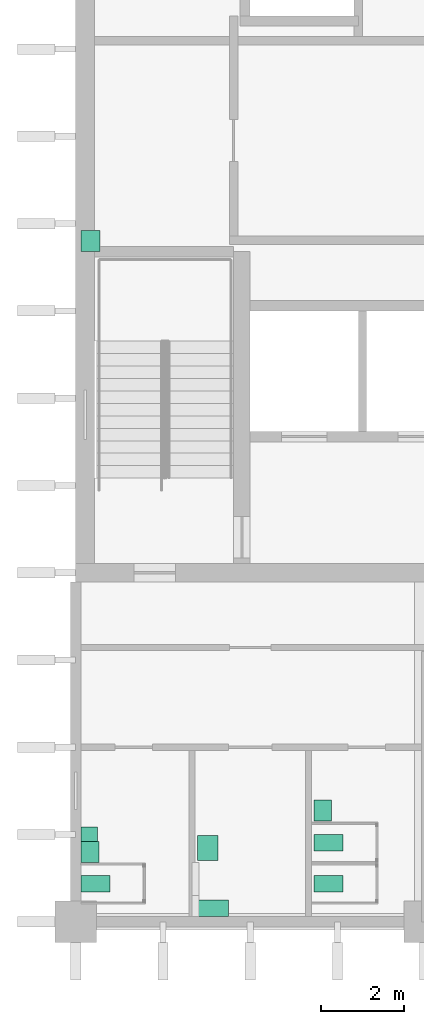
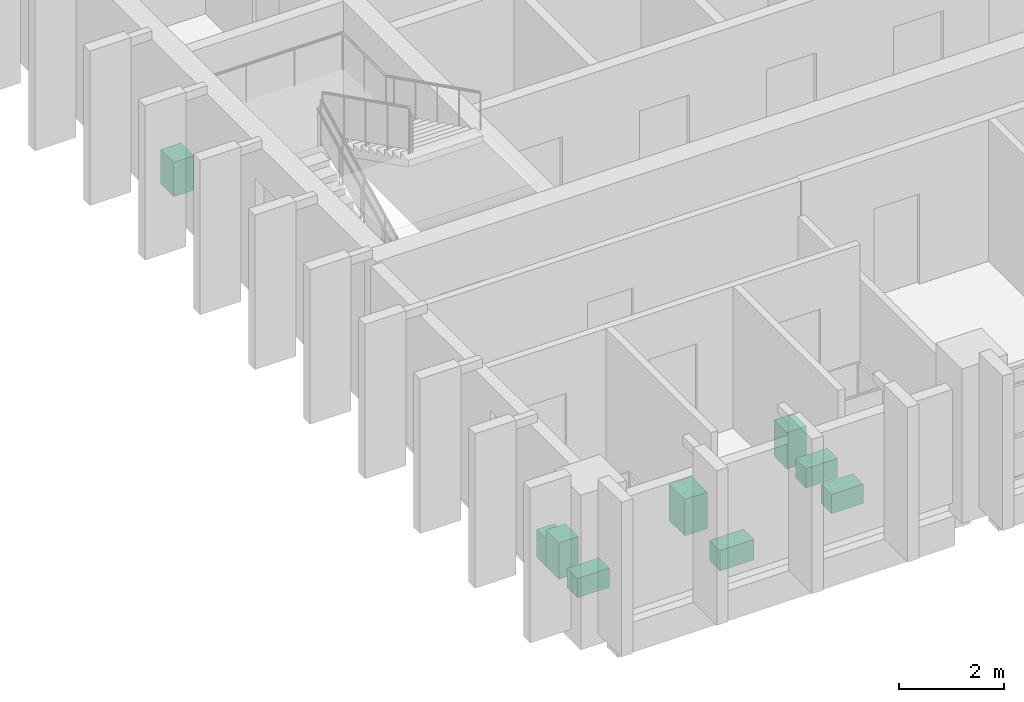
# One storey, part 11 of 11: 9 sanitary terminals.
"""IFC4 building model written with IfcOpenShell, lengths in metres."""

from ifc_helpers import new_model, si_unit, direction, frame, origin, origin_2d, place, context, subcontext, project, spatial, rectangle, extrude, material, type_object, element, save


model = new_model("IFC4")

# Units and contexts
model_context = context("Model", 3, precision=1e-05, world=origin(), true_north=direction((0.0, 1.0)))
body_context = subcontext(model_context, "Body", "Model", "MODEL_VIEW")
ifc_project = project(units=[si_unit("LENGTHUNIT", "METRE"), si_unit("AREAUNIT", "SQUARE_METRE"), si_unit("VOLUMEUNIT", "CUBIC_METRE"), si_unit("PLANEANGLEUNIT", "RADIAN"), si_unit("MASSUNIT", "GRAM", prefix="KILO")], contexts=[model_context])

# Site, building, storey
site_placement = place(None, origin())
site = spatial("IfcSite", under=ifc_project, at=site_placement, CompositionType="ELEMENT")
building_placement = place(site_placement, origin())
building = spatial("IfcBuilding", under=site, at=building_placement, Name="Rulbaag Community and Learning Centre", CompositionType="ELEMENT")
storey_placement = place(building_placement, frame((0.0, 0.0, 21.60009765625)))
storey = spatial("IfcBuildingStorey", under=building, at=storey_placement, Name="L05", CompositionType="ELEMENT", Elevation=21.60009765625)

# Sanitary terminals
ifc_material_1 = material(Name="Vitreous china", Category="ceramic")
sanitary_terminal_type_1 = type_object("IfcSanitaryTerminalType", Name="BS-500", PredefinedType="WASHHANDBASIN", material=ifc_material_1)
for number, where, z_axis, x_axis, name in (
    (1, (143.14501953125, 85.679931640625, -0.000244140625), (0.0, 0.0, 1.0), (1.0, 0.0, 0.0), "Basin 78"),
    (2, (148.7451171875, 86.679931640625, -0.000244140625), (0.0, 0.0, 1.0), (1.0, 0.0, 0.0), "Basin 79"),
):
    element("IfcSanitaryTerminal", number, at=place(storey_placement, frame(where, z_axis=z_axis, x_axis=x_axis)), inside=storey, type_object=sanitary_terminal_type_1, Name=name, PredefinedType="WASHHANDBASIN", context=body_context, shape_type="SweptSolid", body=[
        extrude(rectangle(XDim=0.429931640625, YDim=0.5, at=origin_2d()), origin(), (0.0, 0.0, 1.0), 0.85009765625),
    ])
sanitary_terminal_type_2 = type_object("IfcSanitaryTerminalType", Name="BS-AC-600", PredefinedType="WASHHANDBASIN", material=ifc_material_1)
sanitary_terminal_1_placement = place(storey_placement, frame((145.97998046875, 85.780029296875, -0.000244140625), z_axis=(0.0, 0.0, 1.0), x_axis=(1.0, 0.0, 0.0)))
element("IfcSanitaryTerminal", 3, at=sanitary_terminal_1_placement, inside=storey, type_object=sanitary_terminal_type_2, Name="Basin 80", PredefinedType="WASHHANDBASIN", context=body_context, shape_type="SweptSolid", body=[
    extrude(rectangle(XDim=0.5, YDim=0.60009765625, at=origin_2d()), origin(), (0.0, 0.0, 1.0), 0.85009765625),
])
ifc_material_2 = material(Name="Stainless steel", Category="steel")
sanitary_terminal_type_3 = type_object("IfcSanitaryTerminalType", Name="SK-CL-500", PredefinedType="SINK", material=ifc_material_2)
sanitary_terminal_2_placement = place(storey_placement, frame((143.155029296875, 100.3798828125, 0.0), z_axis=(0.0, 0.0, 1.0), x_axis=(1.0, 0.0, 0.0)))
element("IfcSanitaryTerminal", 4, at=sanitary_terminal_2_placement, inside=storey, type_object=sanitary_terminal_type_3, Name="Sink 14", PredefinedType="SINK", context=body_context, shape_type="SweptSolid", body=[
    extrude(rectangle(XDim=0.449951171875, YDim=0.5, at=origin_2d()), origin(), (0.0, 0.0, 1.0), 0.800048828125),
])
sanitary_terminal_type_4 = type_object("IfcSanitaryTerminalType", Name="UR-350", PredefinedType="URINAL", material=ifc_material_1)
sanitary_terminal_3_placement = place(storey_placement, frame((143.1298828125, 86.10498046875, 0.0), z_axis=(0.0, 0.0, 1.0), x_axis=(1.0, 0.0, 0.0)))
element("IfcSanitaryTerminal", 5, at=sanitary_terminal_3_placement, inside=storey, type_object=sanitary_terminal_type_4, Name="Urinal 155", PredefinedType="URINAL", context=body_context, shape_type="SweptSolid", body=[
    extrude(rectangle(XDim=0.39990234375, YDim=0.35009765625, at=origin_2d()), origin(), (0.0, 0.0, 1.0), 0.64990234375),
])
sanitary_terminal_type_5 = type_object("IfcSanitaryTerminalType", Name="WC-400", PredefinedType="TOILETPAN", material=ifc_material_1)
for number, where, z_axis, x_axis, name in (
    (6, (143.280029296875, 84.919921875, 0.0), (0.0, 0.0, 1.0), (1.0, 0.0, 0.0), "WC 136"),
    (7, (148.8798828125, 84.919921875, 0.0), (0.0, 0.0, 1.0), (1.0, 0.0, 0.0), "WC 137"),
    (8, (148.8798828125, 85.89990234375, 0.0), (0.0, 0.0, 1.0), (1.0, 0.0, 0.0), "WC 138"),
):
    element("IfcSanitaryTerminal", number, at=place(storey_placement, frame(where, z_axis=z_axis, x_axis=x_axis)), inside=storey, type_object=sanitary_terminal_type_5, Name=name, PredefinedType="TOILETPAN", context=body_context, shape_type="SweptSolid", body=[
        extrude(rectangle(XDim=0.699951171875, YDim=0.39990234375, at=origin_2d()), origin(), (0.0, 0.0, 1.0), 0.449951171875),
    ])
sanitary_terminal_type_6 = type_object("IfcSanitaryTerminalType", Name="WC-AC-480", PredefinedType="TOILETPAN", material=ifc_material_1)
sanitary_terminal_4_placement = place(storey_placement, frame((146.10498046875, 84.330078125, 0.0), z_axis=(0.0, 0.0, 1.0), x_axis=(1.0, 0.0, 0.0)))
element("IfcSanitaryTerminal", 9, at=sanitary_terminal_4_placement, inside=storey, type_object=sanitary_terminal_type_6, Name="WC 139", PredefinedType="TOILETPAN", context=body_context, shape_type="SweptSolid", body=[
    extrude(rectangle(XDim=0.75, YDim=0.39990234375, at=origin_2d()), origin(), (0.0, 0.0, 1.0), 0.47998046875),
])

save(model, "model.ifc")
